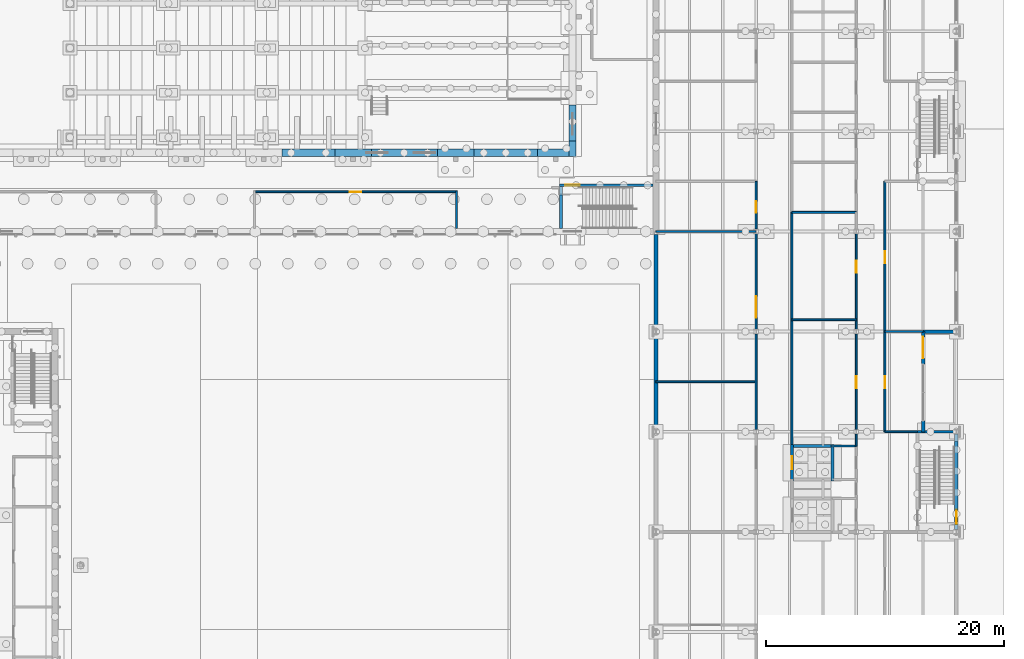
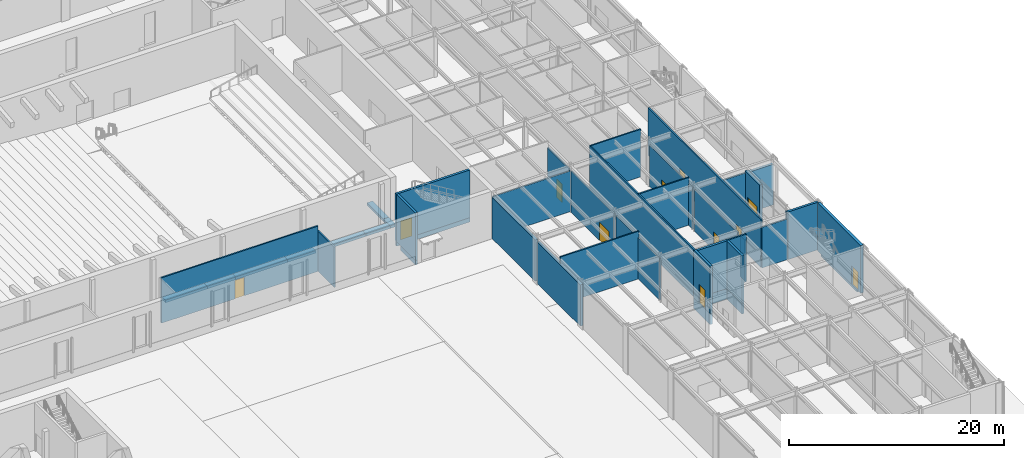
# One storey, part 62 of 127: 43 walls, 11 doors, 11 openings.
"""IFC4 building model written with IfcOpenShell, lengths in metres."""

from ifc_helpers import new_model, si_unit, direction, frame, frame_2d, origin, place, context, subcontext, project, spatial, rectangle, extrude, material, layer, layer_set, type_object, element, fill, save


model = new_model("IFC4")

# Units and contexts
model_context = context("Model", 3, precision=1e-05, world=origin(), true_north=direction((0.0, 1.0)))
body_context = subcontext(model_context, "Body", "Model", "MODEL_VIEW")
ifc_project = project(units=[si_unit("LENGTHUNIT", "METRE"), si_unit("AREAUNIT", "SQUARE_METRE"), si_unit("VOLUMEUNIT", "CUBIC_METRE"), si_unit("PLANEANGLEUNIT", "RADIAN"), si_unit("MASSUNIT", "GRAM", prefix="KILO")], contexts=[model_context])

# Site, building, storey
site_placement = place(None, origin())
site = spatial("IfcSite", under=ifc_project, at=site_placement, CompositionType="ELEMENT")
building_placement = place(site_placement, origin())
building = spatial("IfcBuilding", under=site, at=building_placement, Name="Ljudholm Concert House", CompositionType="ELEMENT")
storey_placement = place(building_placement, origin())
storey = spatial("IfcBuildingStorey", under=building, at=storey_placement, Name="L00", CompositionType="ELEMENT", Elevation=0.0)

# Wall, opening, door
ifc_material_1 = material(Name="Gypsum board on steel studs", Category="steel")
ifc_layer_1 = layer(ifc_material_1, 0.14990234375)
ifc_layer_set_1 = layer_set([ifc_layer_1], Name="Gypsum board on steel studs")
wall_type_1 = type_object("IfcWallType", Name="GYPSUM PARTITION 150", PredefinedType="PARTITIONING", material=ifc_layer_set_1)
wall_1_placement = place(storey_placement, frame((62.800048828125, 57.72509765625, 0.0), z_axis=(0.0, 0.0, 1.0), x_axis=(1.0, 0.0, 0.0)))
wall_1 = element("IfcWall", 1, at=wall_1_placement, inside=storey, type_object=wall_type_1, Name="Acoustic Plant Room partition", PredefinedType="PARTITIONING", context=body_context, shape_type="SweptSolid", body=[
    extrude(rectangle(XDim=16.800048828125, YDim=0.14990234375, at=frame_2d((8.39990234375, 0.0))), origin(), (0.0, 0.0, 1.0), 5.14990234375),
])
opening_1_placement = place(wall_1_placement, frame((7.89990234375, 0.0, 0.0)))
opening_1 = element("IfcOpeningElement", 2, at=opening_1_placement, cuts=wall_1, Name="Opening D-H00-004", PredefinedType="OPENING", context=body_context, shape_type="SweptSolid", body=[
    extrude(rectangle(XDim=1.0, YDim=2.10009765625, at=frame_2d((0.5, 1.050048828125))), frame((0.0, 0.0849609375, 0.0), z_axis=(0.0, -1.0, 0.0), x_axis=(1.0, 0.0, 0.0)), (0.0, 0.0, 1.0), 0.169921875),
])
ifc_material_2 = material(Name="Hollow metal door in steel frame", Category="steel")
door_type_1 = type_object("IfcDoorType", Name="SWING DOOR 1000x2100", OperationType="SINGLE_SWING_LEFT", PredefinedType="DOOR", material=ifc_material_2)
door_1_placement = place(opening_1_placement, frame((1.0, 0.0, 0.0), z_axis=(0.0, 0.0, 1.0), x_axis=(-1.0, 0.0, 0.0)))
door_1 = element("IfcDoor", 3, at=door_1_placement, inside=storey, type_object=door_type_1, Name="Acoustic Plant Room door", OperationType="SINGLE_SWING_RIGHT", OverallHeight=2.10009765625, OverallWidth=1.0, PredefinedType="DOOR", context=body_context, shape_type="SweptSolid", body=[
    extrude(rectangle(XDim=1.0, YDim=2.10009765625, at=frame_2d((0.5, 1.050048828125))), frame((0.0, 0.02490234375, 0.0), z_axis=(0.0, -1.0, 0.0), x_axis=(1.0, 0.0, 0.0)), (0.0, 0.0, 1.0), 0.050048828125),
])
fill(opening_1, door_1)

# Walls
wall_2_placement = place(storey_placement, frame((79.675048828125, 54.64990234375, 0.0), z_axis=(0.0, 0.0, 1.0), x_axis=(0.0, 1.0, 0.0)))
element("IfcWall", 4, at=wall_2_placement, inside=storey, type_object=wall_type_1, Name="Acoustic Plant Room partition", PredefinedType="PARTITIONING", context=body_context, shape_type="SweptSolid", body=[
    extrude(rectangle(XDim=3.150146484375, YDim=0.14990234375, at=frame_2d((1.5751953125, 0.0))), origin(), (0.0, 0.0, 1.0), 4.550048828125),
])
wall_3_placement = place(storey_placement, frame((104.800048828125, 37.78662109375, 0.0), z_axis=(0.0, 0.0, 1.0), x_axis=(0.0, 1.0, 0.0)))
element("IfcWall", 5, at=wall_3_placement, inside=storey, type_object=wall_type_1, Name="Partition", PredefinedType="PARTITIONING", context=body_context, shape_type="SweptSolid", body=[
    extrude(rectangle(XDim=8.026611328125, YDim=0.14990234375, at=frame_2d((4.01318359375, 0.0))), origin(), (0.0, 0.0, 1.0), 4.6865234375),
])

# Wall, opening, door
wall_4_placement = place(storey_placement, frame((104.800048828125, 46.186767578125, 0.0), z_axis=(0.0, 0.0, 1.0), x_axis=(0.0, 1.0, 0.0)))
wall_4 = element("IfcWall", 6, at=wall_4_placement, inside=storey, type_object=wall_type_1, Name="Partition", PredefinedType="PARTITIONING", context=body_context, shape_type="SweptSolid", body=[
    extrude(rectangle(XDim=8.026611328125, YDim=0.14990234375, at=frame_2d((4.01318359375, 0.0))), origin(), (0.0, 0.0, 1.0), 4.6865234375),
])
opening_2_placement = place(wall_4_placement, frame((0.96337890625, 0.0, 0.0)))
opening_2 = element("IfcOpeningElement", 7, at=opening_2_placement, cuts=wall_4, Name="Opening D-W00-019", PredefinedType="OPENING", context=body_context, shape_type="SweptSolid", body=[
    extrude(rectangle(XDim=1.800048828125, YDim=2.10009765625, at=frame_2d((0.89990234375, 1.050048828125))), frame((0.0, 0.0849609375, 0.0), z_axis=(0.0, -1.0, 0.0), x_axis=(1.0, 0.0, 0.0)), (0.0, 0.0, 1.0), 0.169921875),
])
ifc_material_3 = material(Name="Hollow metal door in steel frame", Category="steel")
door_type_2 = type_object("IfcDoorType", Name="DOUBLE DOOR 1800x2100", OperationType="DOUBLE_DOOR_SINGLE_SWING", PredefinedType="DOOR", material=ifc_material_3)
door_2_placement = place(opening_2_placement, origin())
door_2 = element("IfcDoor", 8, at=door_2_placement, inside=storey, type_object=door_type_2, Name="Door", OperationType="DOUBLE_DOOR_SINGLE_SWING", OverallHeight=2.10009765625, OverallWidth=1.800048828125, PredefinedType="DOOR", context=body_context, shape_type="SweptSolid", body=[
    extrude(rectangle(XDim=1.800048828125, YDim=2.10009765625, at=frame_2d((0.89990234375, 1.050048828125))), frame((0.0, 0.02490234375, 0.0), z_axis=(0.0, -1.0, 0.0), x_axis=(1.0, 0.0, 0.0)), (0.0, 0.0, 1.0), 0.050048828125),
])
fill(opening_2, door_2)

wall_5_placement = place(storey_placement, frame((104.800048828125, 54.586669921875, 0.0), z_axis=(0.0, 0.0, 1.0), x_axis=(0.0, 1.0, 0.0)))
wall_5 = element("IfcWall", 9, at=wall_5_placement, inside=storey, type_object=wall_type_1, Name="Partition", PredefinedType="PARTITIONING", context=body_context, shape_type="SweptSolid", body=[
    extrude(rectangle(XDim=4.013427734375, YDim=0.14990234375, at=frame_2d((2.0068359375, 0.0))), origin(), (0.0, 0.0, 1.0), 4.6865234375),
])
opening_3_placement = place(wall_5_placement, frame((1.36328125, 0.0, 0.0)))
opening_3 = element("IfcOpeningElement", 10, at=opening_3_placement, cuts=wall_5, Name="Opening D-W00-020", PredefinedType="OPENING", context=body_context, shape_type="SweptSolid", body=[
    extrude(rectangle(XDim=1.0, YDim=2.10009765625, at=frame_2d((0.5, 1.050048828125))), frame((0.0, 0.0849609375, 0.0), z_axis=(0.0, -1.0, 0.0), x_axis=(1.0, 0.0, 0.0)), (0.0, 0.0, 1.0), 0.169921875),
])
door_3_placement = place(opening_3_placement, origin())
door_3 = element("IfcDoor", 11, at=door_3_placement, inside=storey, type_object=door_type_1, Name="Door", OperationType="SINGLE_SWING_LEFT", OverallHeight=2.10009765625, OverallWidth=1.0, PredefinedType="DOOR", context=body_context, shape_type="SweptSolid", body=[
    extrude(rectangle(XDim=1.0, YDim=2.10009765625, at=frame_2d((0.5, 1.050048828125))), frame((0.0, 0.02490234375, 0.0), z_axis=(0.0, -1.0, 0.0), x_axis=(1.0, 0.0, 0.0)), (0.0, 0.0, 1.0), 0.050048828125),
])
fill(opening_3, door_3)

# Walls
wall_6_placement = place(storey_placement, frame((107.800048828125, 36.39990234375, 0.0), z_axis=(0.0, 0.0, 1.0), x_axis=(0.0, 1.0, 0.0)))
element("IfcWall", 12, at=wall_6_placement, inside=storey, type_object=wall_type_1, Name="Partition", PredefinedType="PARTITIONING", context=body_context, shape_type="SweptSolid", body=[
    extrude(rectangle(XDim=19.60009765625, YDim=0.14990234375, at=frame_2d((9.800048828125, 0.0))), origin(), (0.0, 0.0, 1.0), 5.39990234375),
])
wall_7_placement = place(storey_placement, frame((113.199951171875, 36.39990234375, 0.0), z_axis=(0.0, 0.0, 1.0), x_axis=(0.0, 1.0, 0.0)))
element("IfcWall", 13, at=wall_7_placement, inside=storey, type_object=wall_type_1, Name="Partition", PredefinedType="PARTITIONING", context=body_context, shape_type="SweptSolid", body=[
    extrude(rectangle(XDim=1.013427734375, YDim=0.14990234375, at=frame_2d((0.5068359375, 0.0))), origin(), (0.0, 0.0, 1.0), 4.6865234375),
])

# Wall, opening, door
wall_8_placement = place(storey_placement, frame((113.199951171875, 37.78662109375, 0.0), z_axis=(0.0, 0.0, 1.0), x_axis=(0.0, 1.0, 0.0)))
wall_8 = element("IfcWall", 14, at=wall_8_placement, inside=storey, type_object=wall_type_1, Name="Partition", PredefinedType="PARTITIONING", context=body_context, shape_type="SweptSolid", body=[
    extrude(rectangle(XDim=8.026611328125, YDim=0.14990234375, at=frame_2d((4.01318359375, 0.0))), origin(), (0.0, 0.0, 1.0), 4.6865234375),
])
opening_4_placement = place(wall_8_placement, frame((3.46337890625, 0.0, 0.0)))
opening_4 = element("IfcOpeningElement", 15, at=opening_4_placement, cuts=wall_8, Name="Opening D-W00-027", PredefinedType="OPENING", context=body_context, shape_type="SweptSolid", body=[
    extrude(rectangle(XDim=1.0, YDim=2.10009765625, at=frame_2d((0.5, 1.050048828125))), frame((0.0, 0.0849609375, 0.0), z_axis=(0.0, -1.0, 0.0), x_axis=(1.0, 0.0, 0.0)), (0.0, 0.0, 1.0), 0.169921875),
])
door_4_placement = place(opening_4_placement, origin())
door_4 = element("IfcDoor", 16, at=door_4_placement, inside=storey, type_object=door_type_1, Name="Door", OperationType="SINGLE_SWING_LEFT", OverallHeight=2.10009765625, OverallWidth=1.0, PredefinedType="DOOR", context=body_context, shape_type="SweptSolid", body=[
    extrude(rectangle(XDim=1.0, YDim=2.10009765625, at=frame_2d((0.5, 1.050048828125))), frame((0.0, 0.02490234375, 0.0), z_axis=(0.0, -1.0, 0.0), x_axis=(1.0, 0.0, 0.0)), (0.0, 0.0, 1.0), 0.050048828125),
])
fill(opening_4, door_4)

wall_9_placement = place(storey_placement, frame((113.199951171875, 46.186767578125, 0.0), z_axis=(0.0, 0.0, 1.0), x_axis=(0.0, 1.0, 0.0)))
wall_9 = element("IfcWall", 17, at=wall_9_placement, inside=storey, type_object=wall_type_1, Name="Partition", PredefinedType="PARTITIONING", context=body_context, shape_type="SweptSolid", body=[
    extrude(rectangle(XDim=8.026611328125, YDim=0.14990234375, at=frame_2d((4.01318359375, 0.0))), origin(), (0.0, 0.0, 1.0), 4.6865234375),
])
opening_5_placement = place(wall_9_placement, frame((4.763427734375, 0.0, 0.0)))
opening_5 = element("IfcOpeningElement", 18, at=opening_5_placement, cuts=wall_9, Name="Opening D-W00-028", PredefinedType="OPENING", context=body_context, shape_type="SweptSolid", body=[
    extrude(rectangle(XDim=1.0, YDim=2.10009765625, at=frame_2d((0.5, 1.050048828125))), frame((0.0, 0.0849609375, 0.0), z_axis=(0.0, -1.0, 0.0), x_axis=(1.0, 0.0, 0.0)), (0.0, 0.0, 1.0), 0.169921875),
])
door_5_placement = place(opening_5_placement, origin())
door_5 = element("IfcDoor", 19, at=door_5_placement, inside=storey, type_object=door_type_1, Name="Door", OperationType="SINGLE_SWING_RIGHT", OverallHeight=2.10009765625, OverallWidth=1.0, PredefinedType="DOOR", context=body_context, shape_type="SweptSolid", body=[
    extrude(rectangle(XDim=1.0, YDim=2.10009765625, at=frame_2d((0.5, 1.050048828125))), frame((0.0, 0.02490234375, 0.0), z_axis=(0.0, -1.0, 0.0), x_axis=(1.0, 0.0, 0.0)), (0.0, 0.0, 1.0), 0.050048828125),
])
fill(opening_5, door_5)

# Wall, openings, doors
wall_10_placement = place(storey_placement, frame((115.60009765625, 37.60009765625, 0.0), z_axis=(0.0, 0.0, 1.0), x_axis=(0.0, 1.0, 0.0)))
wall_10 = element("IfcWall", 20, at=wall_10_placement, inside=storey, type_object=wall_type_1, Name="Partition", PredefinedType="PARTITIONING", context=body_context, shape_type="SweptSolid", body=[
    extrude(rectangle(XDim=21.0, YDim=0.14990234375, at=frame_2d((10.5, 0.0))), origin(), (0.0, 0.0, 1.0), 5.39990234375),
])
opening_6_placement = place(wall_10_placement, frame((3.64990234375, 0.0, 0.0)))
opening_6 = element("IfcOpeningElement", 21, at=opening_6_placement, cuts=wall_10, Name="Opening D-W00-037", PredefinedType="OPENING", context=body_context, shape_type="SweptSolid", body=[
    extrude(rectangle(XDim=1.0, YDim=2.10009765625, at=frame_2d((0.5, 1.050048828125))), frame((0.0, 0.0849609375, 0.0), z_axis=(0.0, -1.0, 0.0), x_axis=(1.0, 0.0, 0.0)), (0.0, 0.0, 1.0), 0.169921875),
])
opening_7_placement = place(wall_10_placement, frame((14.14990234375, 0.0, 0.0)))
opening_7 = element("IfcOpeningElement", 22, at=opening_7_placement, cuts=wall_10, Name="Opening D-W00-038", PredefinedType="OPENING", context=body_context, shape_type="SweptSolid", body=[
    extrude(rectangle(XDim=1.0, YDim=2.10009765625, at=frame_2d((0.5, 1.050048828125))), frame((0.0, 0.0849609375, 0.0), z_axis=(0.0, -1.0, 0.0), x_axis=(1.0, 0.0, 0.0)), (0.0, 0.0, 1.0), 0.169921875),
])
door_6_placement = place(opening_6_placement, frame((1.0, 0.0, 0.0), z_axis=(0.0, 0.0, 1.0), x_axis=(-1.0, 0.0, 0.0)))
door_6 = element("IfcDoor", 23, at=door_6_placement, inside=storey, type_object=door_type_1, Name="Door", OperationType="SINGLE_SWING_RIGHT", OverallHeight=2.10009765625, OverallWidth=1.0, PredefinedType="DOOR", context=body_context, shape_type="SweptSolid", body=[
    extrude(rectangle(XDim=1.0, YDim=2.10009765625, at=frame_2d((0.5, 1.050048828125))), frame((0.0, 0.02490234375, 0.0), z_axis=(0.0, -1.0, 0.0), x_axis=(1.0, 0.0, 0.0)), (0.0, 0.0, 1.0), 0.050048828125),
])
fill(opening_6, door_6)
door_7_placement = place(opening_7_placement, frame((1.0, 0.0, 0.0), z_axis=(0.0, 0.0, 1.0), x_axis=(-1.0, 0.0, 0.0)))
door_7 = element("IfcDoor", 24, at=door_7_placement, inside=storey, type_object=door_type_1, Name="Door", OperationType="SINGLE_SWING_RIGHT", OverallHeight=2.10009765625, OverallWidth=1.0, PredefinedType="DOOR", context=body_context, shape_type="SweptSolid", body=[
    extrude(rectangle(XDim=1.0, YDim=2.10009765625, at=frame_2d((0.5, 1.050048828125))), frame((0.0, 0.02490234375, 0.0), z_axis=(0.0, -1.0, 0.0), x_axis=(1.0, 0.0, 0.0)), (0.0, 0.0, 1.0), 0.050048828125),
])
fill(opening_7, door_7)

# Walls
wall_11_placement = place(storey_placement, frame((111.199951171875, 36.39990234375, 0.0), z_axis=(0.0, 0.0, 1.0), x_axis=(1.0, 0.0, 0.0)))
element("IfcWall", 25, at=wall_11_placement, inside=storey, type_object=wall_type_1, Name="Partition", PredefinedType="PARTITIONING", context=body_context, shape_type="SweptSolid", body=[
    extrude(rectangle(XDim=2.0, YDim=0.14990234375, at=frame_2d((1.0, 0.0))), origin(), (0.0, 0.0, 1.0), 5.39990234375),
])
wall_12_placement = place(storey_placement, frame((115.60009765625, 37.60009765625, 0.0), z_axis=(0.0, 0.0, 1.0), x_axis=(1.0, 0.0, 0.0)))
element("IfcWall", 26, at=wall_12_placement, inside=storey, type_object=wall_type_1, Name="Partition", PredefinedType="PARTITIONING", context=body_context, shape_type="SweptSolid", body=[
    extrude(rectangle(XDim=2.724853515625, YDim=0.14990234375, at=frame_2d((1.3623046875, 0.0))), origin(), (0.0, 0.0, 1.0), 4.60791015625),
])
wall_13_placement = place(storey_placement, frame((96.39990234375, 41.800048828125, 0.0), z_axis=(0.0, 0.0, 1.0), x_axis=(1.0, 0.0, 0.0)))
element("IfcWall", 27, at=wall_13_placement, inside=storey, type_object=wall_type_1, Name="Partition", PredefinedType="PARTITIONING", context=body_context, shape_type="SweptSolid", body=[
    extrude(rectangle(XDim=8.400146484375, YDim=0.14990234375, at=frame_2d((4.2001953125, 0.0))), origin(), (0.0, 0.0, 1.0), 5.39990234375),
])
wall_14_placement = place(storey_placement, frame((115.60009765625, 46.0, 0.0), z_axis=(0.0, 0.0, 1.0), x_axis=(1.0, 0.0, 0.0)))
element("IfcWall", 28, at=wall_14_placement, inside=storey, type_object=wall_type_1, Name="Partition", PredefinedType="PARTITIONING", context=body_context, shape_type="SweptSolid", body=[
    extrude(rectangle(XDim=3.199951171875, YDim=0.14990234375, at=frame_2d((1.60009765625, 0.0))), origin(), (0.0, 0.0, 1.0), 4.60791015625),
])
wall_15_placement = place(storey_placement, frame((107.800048828125, 47.0, 0.0), z_axis=(0.0, 0.0, 1.0), x_axis=(1.0, 0.0, 0.0)))
element("IfcWall", 29, at=wall_15_placement, inside=storey, type_object=wall_type_1, Name="Partition", PredefinedType="PARTITIONING", context=body_context, shape_type="SweptSolid", body=[
    extrude(rectangle(XDim=5.39990234375, YDim=0.14990234375, at=frame_2d((2.699951171875, 0.0))), origin(), (0.0, 0.0, 1.0), 5.39990234375),
])
wall_16_placement = place(storey_placement, frame((96.39990234375, 54.39990234375, 0.0), z_axis=(0.0, 0.0, 1.0), x_axis=(1.0, 0.0, 0.0)))
element("IfcWall", 30, at=wall_16_placement, inside=storey, type_object=wall_type_1, Name="Partition", PredefinedType="PARTITIONING", context=body_context, shape_type="SweptSolid", body=[
    extrude(rectangle(XDim=8.391845703125, YDim=0.14990234375, at=frame_2d((4.19580078125, 0.0))), origin(), (0.0, 0.0, 1.0), 4.60791015625),
])
wall_17_placement = place(storey_placement, frame((107.800048828125, 56.0, 0.0), z_axis=(0.0, 0.0, 1.0), x_axis=(1.0, 0.0, 0.0)))
element("IfcWall", 31, at=wall_17_placement, inside=storey, type_object=wall_type_1, Name="Partition", PredefinedType="PARTITIONING", context=body_context, shape_type="SweptSolid", body=[
    extrude(rectangle(XDim=5.39990234375, YDim=0.14990234375, at=frame_2d((2.699951171875, 0.0))), origin(), (0.0, 0.0, 1.0), 5.39990234375),
])
ifc_material_4 = material(Name="Precast concrete 5,000 psi", Category="concrete")
ifc_layer_2 = layer(ifc_material_4, 0.300048828125)
ifc_layer_set_2 = layer_set([ifc_layer_2], Name="Precast concrete 5,000 psi")
wall_type_2 = type_object("IfcWallType", Name="PRECAST PANEL WALL 300", PredefinedType="SOLIDWALL", material=ifc_layer_set_2)
wall_18_placement = place(storey_placement, frame((96.39990234375, 37.78662109375, 0.0), z_axis=(0.0, 0.0, 1.0), x_axis=(0.0, 1.0, 0.0)))
element("IfcWall", 32, at=wall_18_placement, inside=storey, type_object=wall_type_2, Name="Facade wall", PredefinedType="SOLIDWALL", context=body_context, shape_type="SweptSolid", body=[
    extrude(rectangle(XDim=8.026611328125, YDim=0.300048828125, at=frame_2d((4.01318359375, 0.0))), origin(), (0.0, 0.0, 1.0), 4.6865234375),
])
wall_19_placement = place(storey_placement, frame((96.39990234375, 46.186767578125, 0.0), z_axis=(0.0, 0.0, 1.0), x_axis=(0.0, 1.0, 0.0)))
element("IfcWall", 33, at=wall_19_placement, inside=storey, type_object=wall_type_2, Name="Facade wall", PredefinedType="SOLIDWALL", context=body_context, shape_type="SweptSolid", body=[
    extrude(rectangle(XDim=7.963134765625, YDim=0.300048828125, at=frame_2d((3.9814453125, 0.0))), origin(), (0.0, 0.0, 1.0), 4.6865234375),
])
wall_20_placement = place(storey_placement, frame((118.800048828125, 37.60009765625, 0.0), z_axis=(0.0, 0.0, 1.0), x_axis=(0.0, 1.0, 0.0)))
element("IfcWall", 34, at=wall_20_placement, inside=storey, type_object=wall_type_2, Name="Entrance wall", PredefinedType="SOLIDWALL", context=body_context, shape_type="SweptSolid", body=[
    extrude(rectangle(XDim=0.89990234375, YDim=0.300048828125, at=frame_2d((0.449951171875, 0.0))), origin(), (0.0, 0.0, 1.0), 4.813720703125),
])

# Wall, opening, door
wall_21_placement = place(storey_placement, frame((118.800048828125, 43.300048828125, 0.0), z_axis=(0.0, 0.0, 1.0), x_axis=(0.0, 1.0, 0.0)))
wall_21 = element("IfcWall", 35, at=wall_21_placement, inside=storey, type_object=wall_type_2, Name="Entrance wall", PredefinedType="SOLIDWALL", context=body_context, shape_type="SweptSolid", body=[
    extrude(rectangle(XDim=2.699951171875, YDim=0.300048828125, at=frame_2d((1.35009765625, 0.0))), origin(), (0.0, 0.0, 1.0), 4.813720703125),
])
opening_8_placement = place(wall_21_placement, frame((0.449951171875, 0.0, 0.0)))
opening_8 = element("IfcOpeningElement", 36, at=opening_8_placement, cuts=wall_21, Name="Opening D-W00-009", PredefinedType="OPENING", context=body_context, shape_type="SweptSolid", body=[
    extrude(rectangle(XDim=1.800048828125, YDim=2.10009765625, at=frame_2d((0.89990234375, 1.050048828125))), frame((0.0, 0.159912109375, 0.0), z_axis=(0.0, -1.0, 0.0), x_axis=(1.0, 0.0, 0.0)), (0.0, 0.0, 1.0), 0.320068359375),
])
ifc_material_5 = material(Name="Hollow metal door in steel frame", Category="steel")
door_type_3 = type_object("IfcDoorType", Name="DOUBLE DOOR 1800x2100 EXTERNAL", OperationType="DOUBLE_DOOR_SINGLE_SWING", PredefinedType="DOOR", material=ifc_material_5)
door_8_placement = place(opening_8_placement, frame((1.800048828125, 0.0, 0.0), z_axis=(0.0, 0.0, 1.0), x_axis=(-1.0, 0.0, 0.0)))
door_8 = element("IfcDoor", 37, at=door_8_placement, inside=storey, type_object=door_type_3, Name="Stage door", OperationType="DOUBLE_DOOR_SINGLE_SWING", OverallHeight=2.10009765625, OverallWidth=1.800048828125, PredefinedType="DOOR", context=body_context, shape_type="SweptSolid", body=[
    extrude(rectangle(XDim=1.800048828125, YDim=2.10009765625, at=frame_2d((0.89990234375, 1.050048828125))), frame((0.0, 0.02490234375, 0.0), z_axis=(0.0, -1.0, 0.0), x_axis=(1.0, 0.0, 0.0)), (0.0, 0.0, 1.0), 0.050048828125),
])
fill(opening_8, door_8)

# Walls
wall_22_placement = place(storey_placement, frame((118.800048828125, 46.0, 0.0), z_axis=(0.0, 0.0, 1.0), x_axis=(1.0, 0.0, 0.0)))
element("IfcWall", 38, at=wall_22_placement, inside=storey, type_object=wall_type_2, Name="Porch side wall", PredefinedType="SOLIDWALL", context=body_context, shape_type="SweptSolid", body=[
    extrude(rectangle(XDim=2.791748046875, YDim=0.300048828125, at=frame_2d((1.39599609375, 0.0))), origin(), (0.0, 0.0, 1.0), 4.60791015625),
])
ifc_material_6 = material(Name="Concrete 6,500 psi", Category="concrete")
ifc_layer_3 = layer(ifc_material_6, 0.25)
ifc_layer_set_3 = layer_set([ifc_layer_3], Name="Concrete 6,500 psi")
wall_type_3 = type_object("IfcWallType", Name="RC CORE WALL 250", PredefinedType="SHEAR", material=ifc_layer_set_3)
wall_23_placement = place(storey_placement, frame((118.324951171875, 37.60009765625, 0.0), z_axis=(0.0, 0.0, 1.0), x_axis=(1.0, 0.0, 0.0)))
element("IfcWall", 39, at=wall_23_placement, inside=storey, type_object=wall_type_3, Name="Stair core wall", PredefinedType="SHEAR", context=body_context, shape_type="SweptSolid", body=[
    extrude(rectangle(XDim=3.266845703125, YDim=0.25, at=frame_2d((1.63330078125, 0.0))), origin(), (0.0, 0.0, 1.0), 5.39990234375),
])

# Wall, opening, door
ifc_material_7 = material(Name="Concrete 6,500 psi", Category="concrete")
ifc_layer_4 = layer(ifc_material_7, 0.300048828125)
ifc_layer_set_4 = layer_set([ifc_layer_4], Name="Concrete 6,500 psi")
wall_type_4 = type_object("IfcWallType", Name="RC CORE WALL 300", PredefinedType="SHEAR", material=ifc_layer_set_4)
wall_24_placement = place(storey_placement, frame((121.60009765625, 29.38671875, 0.0), z_axis=(0.0, 0.0, 1.0), x_axis=(0.0, 1.0, 0.0)))
wall_24 = element("IfcWall", 40, at=wall_24_placement, inside=storey, type_object=wall_type_4, Name="Stair core wall", PredefinedType="SHEAR", context=body_context, shape_type="SweptSolid", body=[
    extrude(rectangle(XDim=8.026611328125, YDim=0.300048828125, at=frame_2d((4.01318359375, 0.0))), origin(), (0.0, 0.0, 1.0), 5.39990234375),
])
opening_9_placement = place(wall_24_placement, frame((0.46337890625, 0.0, 0.0)))
opening_9 = element("IfcOpeningElement", 41, at=opening_9_placement, cuts=wall_24, Name="Opening D-W00-004", PredefinedType="OPENING", context=body_context, shape_type="SweptSolid", body=[
    extrude(rectangle(XDim=1.199951171875, YDim=2.10009765625, at=frame_2d((0.60009765625, 1.050048828125))), frame((0.0, 0.159912109375, 0.0), z_axis=(0.0, -1.0, 0.0), x_axis=(1.0, 0.0, 0.0)), (0.0, 0.0, 1.0), 0.320068359375),
])
ifc_material_8 = material(Name="Hollow metal door in steel frame", Category="steel")
door_type_4 = type_object("IfcDoorType", Name="SWING DOOR 1200x2100 EXTERNAL", OperationType="SINGLE_SWING_LEFT", PredefinedType="DOOR", material=ifc_material_8)
door_9_placement = place(opening_9_placement, frame((1.199951171875, 0.0, 0.0), z_axis=(0.0, 0.0, 1.0), x_axis=(-1.0, 0.0, 0.0)))
door_9 = element("IfcDoor", 42, at=door_9_placement, inside=storey, type_object=door_type_4, Name="Stair exit door", OperationType="SINGLE_SWING_RIGHT", OverallHeight=2.10009765625, OverallWidth=1.199951171875, PredefinedType="DOOR", context=body_context, shape_type="SweptSolid", body=[
    extrude(rectangle(XDim=1.199951171875, YDim=2.10009765625, at=frame_2d((0.60009765625, 1.050048828125))), frame((0.0, 0.02490234375, 0.0), z_axis=(0.0, -1.0, 0.0), x_axis=(1.0, 0.0, 0.0)), (0.0, 0.0, 1.0), 0.050048828125),
])
fill(opening_9, door_9)

ifc_material_9 = material(Name="Concrete 6,500 psi", Category="concrete")
ifc_layer_5 = layer(ifc_material_9, 0.25)
ifc_layer_set_5 = layer_set([ifc_layer_5], Name="Concrete 6,500 psi")
wall_type_5 = type_object("IfcWallType", Name="RC WALL 250", PredefinedType="SOLIDWALL", material=ifc_layer_set_5)
wall_25_placement = place(storey_placement, frame((88.300048828125, 58.27490234375, 0.0), z_axis=(0.0, 0.0, 1.0), x_axis=(1.0, 0.0, 0.0)))
wall_25 = element("IfcWall", 43, at=wall_25_placement, inside=storey, type_object=wall_type_5, Name="Stair enclosure wall EH3", PredefinedType="SOLIDWALL", context=body_context, shape_type="SweptSolid", body=[
    extrude(rectangle(XDim=7.849853515625, YDim=0.25, at=frame_2d((3.9248046875, 0.0))), origin(), (0.0, 0.0, 1.0), 5.39990234375),
])
opening_10_placement = place(wall_25_placement, frame((0.5, 0.0, 0.0)))
opening_10 = element("IfcOpeningElement", 44, at=opening_10_placement, cuts=wall_25, Name="Opening D-H00-010", PredefinedType="OPENING", context=body_context, shape_type="SweptSolid", body=[
    extrude(rectangle(XDim=1.199951171875, YDim=2.10009765625, at=frame_2d((0.60009765625, 1.050048828125))), frame((0.0, 0.135009765625, 0.0), z_axis=(0.0, -1.0, 0.0), x_axis=(1.0, 0.0, 0.0)), (0.0, 0.0, 1.0), 0.27001953125),
])
ifc_material_10 = material(Name="Hollow metal door in steel frame", Category="steel")
door_type_5 = type_object("IfcDoorType", Name="SWING DOOR 1200x2100", OperationType="SINGLE_SWING_LEFT", PredefinedType="DOOR", material=ifc_material_10)
door_10_placement = place(opening_10_placement, frame((1.199951171875, 0.0, 0.0), z_axis=(0.0, 0.0, 1.0), x_axis=(-1.0, 0.0, 0.0)))
door_10 = element("IfcDoor", 45, at=door_10_placement, inside=storey, type_object=door_type_5, Name="Exit stair EH3 door", OperationType="SINGLE_SWING_RIGHT", OverallHeight=2.10009765625, OverallWidth=1.199951171875, PredefinedType="DOOR", context=body_context, shape_type="SweptSolid", body=[
    extrude(rectangle(XDim=1.199951171875, YDim=2.10009765625, at=frame_2d((0.60009765625, 1.050048828125))), frame((0.0, 0.02490234375, 0.0), z_axis=(0.0, -1.0, 0.0), x_axis=(1.0, 0.0, 0.0)), (0.0, 0.0, 1.0), 0.050048828125),
])
fill(opening_10, door_10)

# Wall
wall_26_placement = place(storey_placement, frame((88.425048828125, 54.64990234375, 0.0), z_axis=(0.0, 0.0, 1.0), x_axis=(0.0, 1.0, 0.0)))
element("IfcWall", 46, at=wall_26_placement, inside=storey, type_object=wall_type_5, Name="Stair enclosure wall EH3", PredefinedType="SOLIDWALL", context=body_context, shape_type="SweptSolid", body=[
    extrude(rectangle(XDim=3.5, YDim=0.25, at=frame_2d((1.75, 0.0))), origin(), (0.0, 0.0, 1.0), 5.39990234375),
])

# Wall, opening, door
wall_27_placement = place(storey_placement, frame((107.800048828125, 33.47509765625, 0.0), z_axis=(0.0, 0.0, 1.0), x_axis=(0.0, 1.0, 0.0)))
wall_27 = element("IfcWall", 47, at=wall_27_placement, inside=storey, type_object=wall_type_5, Name="Lift shaft wall", PredefinedType="SOLIDWALL", context=body_context, shape_type="SweptSolid", body=[
    extrude(rectangle(XDim=3.0498046875, YDim=0.25, at=frame_2d((1.52490234375, 0.0))), origin(), (0.0, 0.0, 1.0), 5.39990234375),
])
opening_11_placement = place(wall_27_placement, frame((0.97509765625, 0.0, 0.0)))
opening_11 = element("IfcOpeningElement", 48, at=opening_11_placement, cuts=wall_27, Name="Opening LD-W00-002", PredefinedType="OPENING", context=body_context, shape_type="SweptSolid", body=[
    extrude(rectangle(XDim=1.10009765625, YDim=2.10009765625, at=frame_2d((0.550048828125, 1.050048828125))), frame((0.0, 0.135009765625, 0.0), z_axis=(0.0, -1.0, 0.0), x_axis=(1.0, 0.0, 0.0)), (0.0, 0.0, 1.0), 0.27001953125),
])
ifc_material_11 = material(Name="Stainless steel sliding landing door, fire-rated", Category="steel")
door_type_6 = type_object("IfcDoorType", Name="LIFT DOOR 1100x2100", OperationType="SLIDING_TO_LEFT", PredefinedType="DOOR", material=ifc_material_11)
door_11_placement = place(opening_11_placement, origin())
door_11 = element("IfcDoor", 49, at=door_11_placement, inside=storey, type_object=door_type_6, Name="Lift landing door", OperationType="SLIDING_TO_LEFT", OverallHeight=2.10009765625, OverallWidth=1.10009765625, PredefinedType="DOOR", context=body_context, shape_type="SweptSolid", body=[
    extrude(rectangle(XDim=1.10009765625, YDim=2.10009765625, at=frame_2d((0.550048828125, 1.050048828125))), frame((0.0, 0.02490234375, 0.0), z_axis=(0.0, -1.0, 0.0), x_axis=(1.0, 0.0, 0.0)), (0.0, 0.0, 1.0), 0.050048828125),
])
fill(opening_11, door_11)

# Walls
wall_28_placement = place(storey_placement, frame((111.199951171875, 33.47509765625, 0.0), z_axis=(0.0, 0.0, 1.0), x_axis=(0.0, 1.0, 0.0)))
element("IfcWall", 50, at=wall_28_placement, inside=storey, type_object=wall_type_5, Name="Lift shaft wall", PredefinedType="SOLIDWALL", context=body_context, shape_type="SweptSolid", body=[
    extrude(rectangle(XDim=3.0498046875, YDim=0.25, at=frame_2d((1.52490234375, 0.0))), origin(), (0.0, 0.0, 1.0), 5.39990234375),
])
wall_29_placement = place(storey_placement, frame((107.925048828125, 36.39990234375, 0.0), z_axis=(0.0, 0.0, 1.0), x_axis=(1.0, 0.0, 0.0)))
element("IfcWall", 51, at=wall_29_placement, inside=storey, type_object=wall_type_5, Name="Lift shaft wall", PredefinedType="SOLIDWALL", context=body_context, shape_type="SweptSolid", body=[
    extrude(rectangle(XDim=3.14990234375, YDim=0.25, at=frame_2d((1.574951171875, 0.0))), origin(), (0.0, 0.0, 1.0), 5.39990234375),
])
for number, where, z_axis, x_axis, name in (
    (52, (107.800048828125, 33.47509765625, -1.199951171875), (0.0, 0.0, 1.0), (0.0, 1.0, 0.0), "Lift pit wall"),
    (53, (111.199951171875, 33.47509765625, -1.199951171875), (0.0, 0.0, 1.0), (0.0, 1.0, 0.0), "Lift pit wall"),
):
    element("IfcWall", number, at=place(storey_placement, frame(where, z_axis=z_axis, x_axis=x_axis)), inside=storey, type_object=wall_type_5, Name=name, PredefinedType="SOLIDWALL", context=body_context, shape_type="SweptSolid", body=[
        extrude(rectangle(XDim=3.0498046875, YDim=0.25, at=frame_2d((1.52490234375, 0.0))), origin(), (0.0, 0.0, 1.0), 1.199951171875),
    ])
wall_30_placement = place(storey_placement, frame((107.925048828125, 36.39990234375, -1.199951171875), z_axis=(0.0, 0.0, 1.0), x_axis=(1.0, 0.0, 0.0)))
element("IfcWall", 54, at=wall_30_placement, inside=storey, type_object=wall_type_5, Name="Lift pit wall", PredefinedType="SOLIDWALL", context=body_context, shape_type="SweptSolid", body=[
    extrude(rectangle(XDim=3.14990234375, YDim=0.25, at=frame_2d((1.574951171875, 0.0))), origin(), (0.0, 0.0, 1.0), 1.199951171875),
])
wall_31_placement = place(storey_placement, frame((88.320068359375, 58.27490234375, -0.5), z_axis=(0.0, 0.0, 1.0), x_axis=(1.0, 0.0, 0.0)))
element("IfcWall", 55, at=wall_31_placement, inside=storey, type_object=wall_type_5, Name="Wall stem", PredefinedType="SOLIDWALL", context=body_context, shape_type="SweptSolid", body=[
    extrude(rectangle(XDim=7.829833984375, YDim=0.25, at=frame_2d((3.9150390625, 0.0))), origin(), (0.0, 0.0, 1.0), 0.5),
])
wall_32_placement = place(storey_placement, frame((88.425048828125, 54.64990234375, -0.5), z_axis=(0.0, 0.0, 1.0), x_axis=(0.0, 1.0, 0.0)))
element("IfcWall", 56, at=wall_32_placement, inside=storey, type_object=wall_type_5, Name="Wall stem", PredefinedType="SOLIDWALL", context=body_context, shape_type="SweptSolid", body=[
    extrude(rectangle(XDim=2.80517578125, YDim=0.25, at=frame_2d((1.402587890625, 0.0))), origin(), (0.0, 0.0, 1.0), 0.5),
])
ifc_material_12 = material(Name="Concrete 6,500 psi", Category="concrete")
ifc_layer_6 = layer(ifc_material_12, 0.300048828125)
ifc_layer_set_6 = layer_set([ifc_layer_6], Name="Concrete 6,500 psi")
wall_type_6 = type_object("IfcWallType", Name="RC WALL 300", PredefinedType="SOLIDWALL", material=ifc_layer_set_6)
wall_33_placement = place(storey_placement, frame((121.60009765625, 30.02001953125, -0.25), z_axis=(0.0, 0.0, 1.0), x_axis=(0.0, 1.0, 0.0)))
element("IfcWall", 57, at=wall_33_placement, inside=storey, type_object=wall_type_6, Name="Wall stem", PredefinedType="SOLIDWALL", context=body_context, shape_type="SweptSolid", body=[
    extrude(rectangle(XDim=6.760009765625, YDim=0.300048828125, at=frame_2d((3.3798828125, 0.0))), origin(), (0.0, 0.0, 1.0), 0.25),
])
ifc_material_13 = material(Name="Concrete 6,500 psi", Category="concrete")
ifc_layer_7 = layer(ifc_material_13, 0.60009765625)
ifc_layer_set_7 = layer_set([ifc_layer_7], Name="Concrete 6,500 psi")
wall_type_7 = type_object("IfcWallType", Name="RC WALL 600", PredefinedType="SOLIDWALL", material=ifc_layer_set_7)
wall_34_placement = place(storey_placement, frame((89.39990234375, 60.699951171875, -0.300048828125), z_axis=(0.0, 0.0, 1.0), x_axis=(0.0, 1.0, 0.0)))
element("IfcWall", 58, at=wall_34_placement, inside=storey, type_object=wall_type_7, Name="Wall stem", PredefinedType="SOLIDWALL", context=body_context, shape_type="SweptSolid", body=[
    extrude(rectangle(XDim=1.27001953125, YDim=0.60009765625, at=frame_2d((0.635009765625, 0.0))), origin(), (0.0, 0.0, 1.0), 0.300048828125),
])
for number, where, z_axis, x_axis, name in (
    (59, (89.39990234375, 61.969970703125, -0.300048828125), (0.0, 0.0, 1.0), (0.0, 1.0, 0.0), "Wall stem"),
    (60, (69.47998046875, 61.0, -0.300048828125), (0.0, 0.0, 1.0), (1.0, 0.0, 0.0), "Wall stem"),
    (61, (78.080078125, 61.0, -0.300048828125), (0.0, 0.0, 1.0), (1.0, 0.0, 0.0), "Wall stem"),
):
    element("IfcWall", number, at=place(storey_placement, frame(where, z_axis=z_axis, x_axis=x_axis)), inside=storey, type_object=wall_type_7, Name=name, PredefinedType="SOLIDWALL", context=body_context, shape_type="SweptSolid", body=[
        extrude(rectangle(XDim=3.0400390625, YDim=0.60009765625, at=frame_2d((1.52001953125, 0.0))), origin(), (0.0, 0.0, 1.0), 0.300048828125),
    ])
wall_35_placement = place(storey_placement, frame((86.47998046875, 61.0, -0.300048828125), z_axis=(0.0, 0.0, 1.0), x_axis=(1.0, 0.0, 0.0)))
element("IfcWall", 62, at=wall_35_placement, inside=storey, type_object=wall_type_7, Name="Wall stem", PredefinedType="SOLIDWALL", context=body_context, shape_type="SweptSolid", body=[
    extrude(rectangle(XDim=2.6201171875, YDim=0.60009765625, at=frame_2d((1.31005859375, 0.0))), origin(), (0.0, 0.0, 1.0), 0.300048828125),
])
wall_36_placement = place(storey_placement, frame((65.02001953125, 61.0, -0.300048828125), z_axis=(0.0, 0.0, 1.0), x_axis=(1.0, 0.0, 0.0)))
element("IfcWall", 63, at=wall_36_placement, inside=storey, type_object=wall_type_7, Name="Wall stem", PredefinedType="SOLIDWALL", context=body_context, shape_type="SweptSolid", body=[
    extrude(rectangle(XDim=4.4599609375, YDim=0.60009765625, at=frame_2d((2.22998046875, 0.0))), origin(), (0.0, 0.0, 1.0), 0.300048828125),
])
wall_37_placement = place(storey_placement, frame((72.52001953125, 61.0, -0.300048828125), z_axis=(0.0, 0.0, 1.0), x_axis=(1.0, 0.0, 0.0)))
element("IfcWall", 64, at=wall_37_placement, inside=storey, type_object=wall_type_7, Name="Wall stem", PredefinedType="SOLIDWALL", context=body_context, shape_type="SweptSolid", body=[
    extrude(rectangle(XDim=5.56005859375, YDim=0.60009765625, at=frame_2d((2.780029296875, 0.0))), origin(), (0.0, 0.0, 1.0), 0.300048828125),
])
wall_38_placement = place(storey_placement, frame((81.1201171875, 61.0, -0.300048828125), z_axis=(0.0, 0.0, 1.0), x_axis=(1.0, 0.0, 0.0)))
element("IfcWall", 65, at=wall_38_placement, inside=storey, type_object=wall_type_7, Name="Wall stem", PredefinedType="SOLIDWALL", context=body_context, shape_type="SweptSolid", body=[
    extrude(rectangle(XDim=5.35986328125, YDim=0.60009765625, at=frame_2d((2.679931640625, 0.0))), origin(), (0.0, 0.0, 1.0), 0.300048828125),
])

save(model, "model.ifc")
